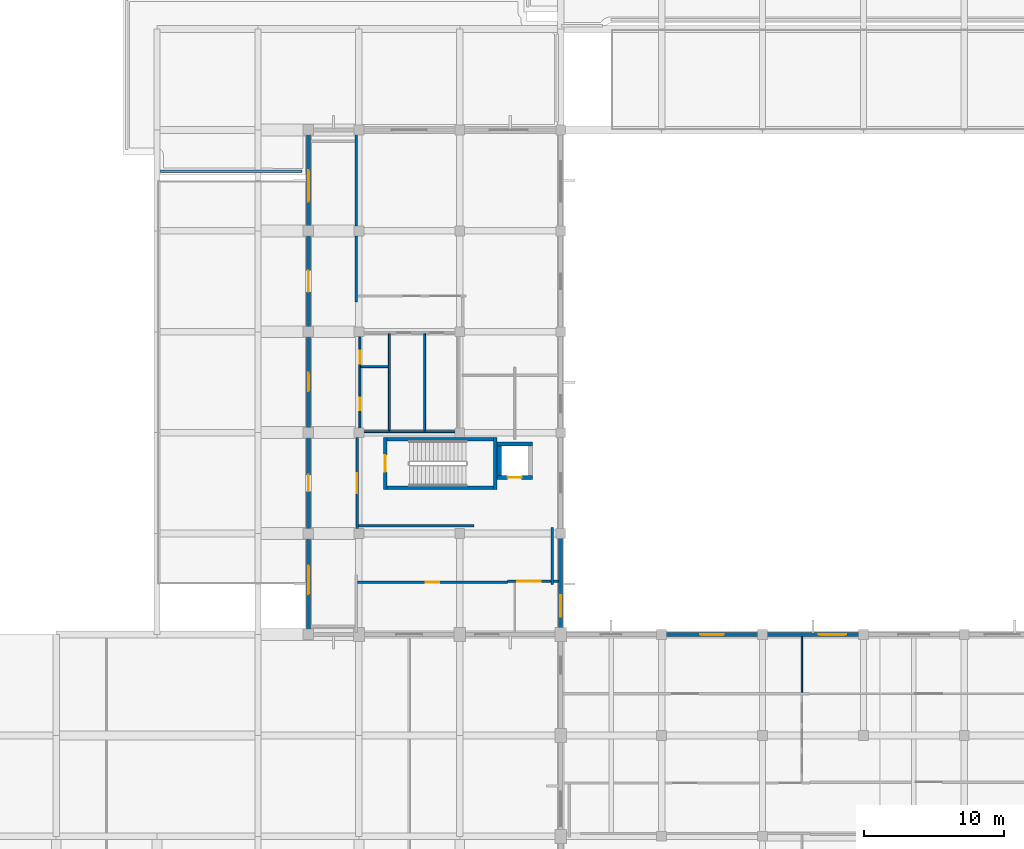
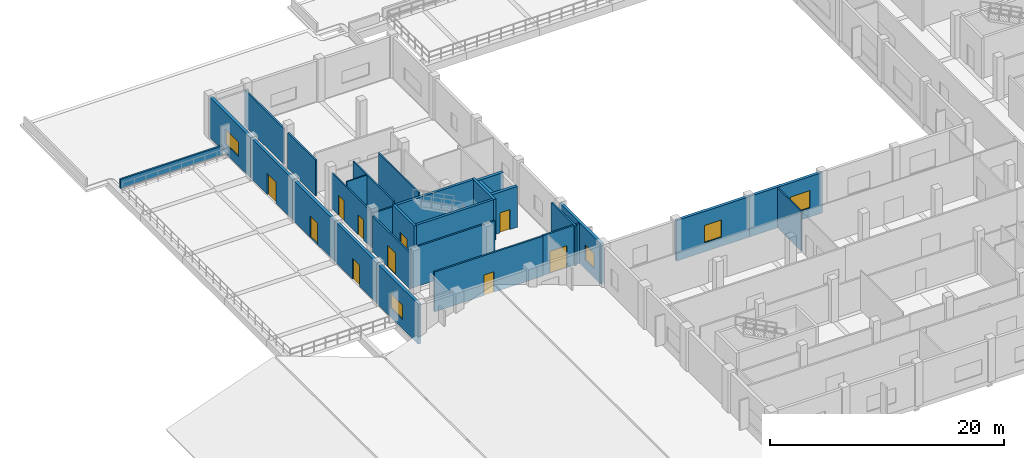
# One storey, part 10 of 24: 29 walls, 10 doors, 5 windows, 15 openings.
"""IFC4 building model written with IfcOpenShell, lengths in metres."""

from ifc_helpers import new_model, si_unit, direction, frame, frame_2d, origin, place, context, subcontext, project, spatial, rectangle, extrude, material, layer, layer_set, type_object, element, fill, save


model = new_model("IFC4")

# Units and contexts
model_context = context("Model", 3, precision=1e-05, world=origin(), true_north=direction((0.0, 1.0)))
body_context = subcontext(model_context, "Body", "Model", "MODEL_VIEW")
ifc_project = project(units=[si_unit("LENGTHUNIT", "METRE"), si_unit("AREAUNIT", "SQUARE_METRE"), si_unit("VOLUMEUNIT", "CUBIC_METRE"), si_unit("PLANEANGLEUNIT", "RADIAN"), si_unit("MASSUNIT", "GRAM", prefix="KILO")], contexts=[model_context])

# Site, building, storey
site_placement = place(None, origin())
site = spatial("IfcSite", under=ifc_project, at=site_placement, CompositionType="ELEMENT")
building_placement = place(site_placement, origin())
building = spatial("IfcBuilding", under=site, at=building_placement, Name="Seraya Terrace Polytechnic", CompositionType="ELEMENT")
storey_placement = place(building_placement, frame((0.0, 0.0, 18.89990234375)))
storey = spatial("IfcBuildingStorey", under=building, at=storey_placement, Name="L04", CompositionType="ELEMENT", Elevation=18.89990234375)

# Wall, opening, window
ifc_material_1 = material(Name="Precast concrete C40/50", Category="concrete")
ifc_layer_1 = layer(ifc_material_1, 0.280029296875, Name="EW-02")
ifc_layer_set_1 = layer_set([ifc_layer_1], Name="Precast concrete C40/50")
wall_type_1 = type_object("IfcWallType", Name="EW-02", PredefinedType="SOLIDWALL", material=ifc_layer_set_1)
wall_1_placement = place(storey_placement, frame((50.39990234375, 28.800048828125, 0.0), z_axis=(0.0, 0.0, 1.0), x_axis=(1.0, 0.0, 0.0)))
wall_1 = element("IfcWall", 1, at=wall_1_placement, inside=storey, type_object=wall_type_1, Name="Exterior structural wall EW-02 L04", PredefinedType="SOLIDWALL", context=body_context, shape_type="SweptSolid", body=[
    extrude(rectangle(XDim=7.2001953125, YDim=0.280029296875, at=frame_2d((3.60009765625, 0.0))), origin(), (0.0, 0.0, 1.0), 4.22021484375),
])
opening_1_placement = place(wall_1_placement, frame((2.75, 0.0, 0.949951171875)))
opening_1 = element("IfcOpeningElement", 2, at=opening_1_placement, cuts=wall_1, Name="Opening WN-29", PredefinedType="OPENING", context=body_context, shape_type="SweptSolid", body=[
    extrude(rectangle(XDim=1.699951171875, YDim=1.800048828125, at=frame_2d((0.85009765625, 0.89990234375))), frame((0.0, 0.15185546875, 0.0), z_axis=(0.0, -1.0, 0.0), x_axis=(1.0, 0.0, 0.0)), (0.0, 0.0, 1.0), 0.303955078125),
])
ifc_material_2 = material(Name="Laminated solar-control Low-E double glazing", Category="glass")
window_type_1 = type_object("IfcWindowType", Name="WN-29", PartitioningType="SINGLE_PANEL", PredefinedType="WINDOW", material=ifc_material_2)
window_1_placement = place(opening_1_placement, origin())
window_1 = element("IfcWindow", 3, at=window_1_placement, inside=storey, type_object=window_type_1, Name="Exterior window WN-29 L04", OverallHeight=1.800048828125, OverallWidth=1.699951171875, PartitioningType="SINGLE_PANEL", PredefinedType="WINDOW", context=body_context, shape_type="SweptSolid", body=[
    extrude(rectangle(XDim=1.699951171875, YDim=1.800048828125, at=frame_2d((0.85009765625, 0.89990234375))), frame((0.0, 0.030029296875, 0.0), z_axis=(0.0, -1.0, 0.0), x_axis=(1.0, 0.0, 0.0)), (0.0, 0.0, 1.0), 0.06005859375),
])
fill(opening_1, window_1)

wall_2_placement = place(storey_placement, frame((57.60009765625, 28.800048828125, 0.0), z_axis=(0.0, 0.0, 1.0), x_axis=(1.0, 0.0, 0.0)))
wall_2 = element("IfcWall", 4, at=wall_2_placement, inside=storey, type_object=wall_type_1, Name="Exterior structural wall EW-02 L04", PredefinedType="SOLIDWALL", context=body_context, shape_type="SweptSolid", body=[
    extrude(rectangle(XDim=7.199951171875, YDim=0.280029296875, at=frame_2d((3.60009765625, 0.0))), origin(), (0.0, 0.0, 1.0), 4.22021484375),
])
opening_2_placement = place(wall_2_placement, frame((4.02001953125, 0.0, 0.949951171875)))
opening_2 = element("IfcOpeningElement", 5, at=opening_2_placement, cuts=wall_2, Name="Opening WN-30", PredefinedType="OPENING", context=body_context, shape_type="SweptSolid", body=[
    extrude(rectangle(XDim=1.949951171875, YDim=1.800048828125, at=frame_2d((0.97509765625, 0.89990234375))), frame((0.0, 0.15185546875, 0.0), z_axis=(0.0, -1.0, 0.0), x_axis=(1.0, 0.0, 0.0)), (0.0, 0.0, 1.0), 0.303955078125),
])
window_type_2 = type_object("IfcWindowType", Name="WN-30", PartitioningType="SINGLE_PANEL", PredefinedType="WINDOW", material=ifc_material_2)
window_2_placement = place(opening_2_placement, origin())
window_2 = element("IfcWindow", 6, at=window_2_placement, inside=storey, type_object=window_type_2, Name="Exterior window WN-30 L04", OverallHeight=1.800048828125, OverallWidth=1.949951171875, PartitioningType="SINGLE_PANEL", PredefinedType="WINDOW", context=body_context, shape_type="SweptSolid", body=[
    extrude(rectangle(XDim=1.949951171875, YDim=1.800048828125, at=frame_2d((0.97509765625, 0.89990234375))), frame((0.0, 0.030029296875, 0.0), z_axis=(0.0, -1.0, 0.0), x_axis=(1.0, 0.0, 0.0)), (0.0, 0.0, 1.0), 0.06005859375),
])
fill(opening_2, window_2)

wall_3_placement = place(storey_placement, frame((43.199951171875, 36.0, 0.0), z_axis=(0.0, 0.0, 1.0), x_axis=(0.0, -1.0, 0.0)))
wall_3 = element("IfcWall", 7, at=wall_3_placement, inside=storey, type_object=wall_type_1, Name="Exterior structural wall EW-02 L04", PredefinedType="SOLIDWALL", context=body_context, shape_type="SweptSolid", body=[
    extrude(rectangle(XDim=7.033935546875, YDim=0.280029296875, at=frame_2d((3.51708984375, 0.0))), origin(), (0.0, 0.0, 1.0), 4.22021484375),
])
opening_3_placement = place(wall_3_placement, frame((4.402099609375, 0.0, 0.949951171875)))
opening_3 = element("IfcOpeningElement", 8, at=opening_3_placement, cuts=wall_3, Name="Opening WN-16", PredefinedType="OPENING", context=body_context, shape_type="SweptSolid", body=[
    extrude(rectangle(XDim=1.550048828125, YDim=1.550048828125, at=frame_2d((0.77490234375, 0.77490234375))), frame((0.0, 0.15185546875, 0.0), z_axis=(0.0, -1.0, 0.0), x_axis=(1.0, 0.0, 0.0)), (0.0, 0.0, 1.0), 0.303955078125),
])
window_type_3 = type_object("IfcWindowType", Name="WN-16", PartitioningType="SINGLE_PANEL", PredefinedType="WINDOW", material=ifc_material_2)
window_3_placement = place(opening_3_placement, origin())
window_3 = element("IfcWindow", 9, at=window_3_placement, inside=storey, type_object=window_type_3, Name="Exterior window WN-16 L04", OverallHeight=1.550048828125, OverallWidth=1.550048828125, PartitioningType="SINGLE_PANEL", PredefinedType="WINDOW", context=body_context, shape_type="SweptSolid", body=[
    extrude(rectangle(XDim=1.550048828125, YDim=1.550048828125, at=frame_2d((0.77490234375, 0.77490234375))), frame((0.0, 0.030029296875, 0.0), z_axis=(0.0, -1.0, 0.0), x_axis=(1.0, 0.0, 0.0)), (0.0, 0.0, 1.0), 0.06005859375),
])
fill(opening_3, window_3)

wall_4_placement = place(storey_placement, frame((25.199951171875, 28.966064453125, 0.0), z_axis=(0.0, 0.0, 1.0), x_axis=(0.0, 1.0, 0.0)))
wall_4 = element("IfcWall", 10, at=wall_4_placement, inside=storey, type_object=wall_type_1, Name="Exterior structural wall EW-02 L04", PredefinedType="SOLIDWALL", context=body_context, shape_type="SweptSolid", body=[
    extrude(rectangle(XDim=7.033935546875, YDim=0.280029296875, at=frame_2d((3.51708984375, 0.0))), origin(), (0.0, 0.0, 1.0), 4.22021484375),
])
opening_4_placement = place(wall_4_placement, frame((2.698974609375, 0.0, 0.949951171875)))
opening_4 = element("IfcOpeningElement", 11, at=opening_4_placement, cuts=wall_4, Name="Opening WN-19", PredefinedType="OPENING", context=body_context, shape_type="SweptSolid", body=[
    extrude(rectangle(XDim=2.050048828125, YDim=1.550048828125, at=frame_2d((1.02490234375, 0.77490234375))), frame((0.0, 0.15185546875, 0.0), z_axis=(0.0, -1.0, 0.0), x_axis=(1.0, 0.0, 0.0)), (0.0, 0.0, 1.0), 0.303955078125),
])
window_type_4 = type_object("IfcWindowType", Name="WN-19", PartitioningType="SINGLE_PANEL", PredefinedType="WINDOW", material=ifc_material_2)
window_4_placement = place(opening_4_placement, origin())
window_4 = element("IfcWindow", 12, at=window_4_placement, inside=storey, type_object=window_type_4, Name="Exterior window WN-19 L04", OverallHeight=1.550048828125, OverallWidth=2.050048828125, PartitioningType="SINGLE_PANEL", PredefinedType="WINDOW", context=body_context, shape_type="SweptSolid", body=[
    extrude(rectangle(XDim=2.050048828125, YDim=1.550048828125, at=frame_2d((1.02490234375, 0.77490234375))), frame((0.0, 0.030029296875, 0.0), z_axis=(0.0, -1.0, 0.0), x_axis=(1.0, 0.0, 0.0)), (0.0, 0.0, 1.0), 0.06005859375),
])
fill(opening_4, window_4)

# Wall, opening, door
wall_5_placement = place(storey_placement, frame((25.199951171875, 36.0, 0.0), z_axis=(0.0, 0.0, 1.0), x_axis=(0.0, 1.0, 0.0)))
wall_5 = element("IfcWall", 13, at=wall_5_placement, inside=storey, type_object=wall_type_1, Name="Exterior structural wall EW-02 L04", PredefinedType="SOLIDWALL", context=body_context, shape_type="SweptSolid", body=[
    extrude(rectangle(XDim=7.199951171875, YDim=0.280029296875, at=frame_2d((3.60009765625, 0.0))), origin(), (0.0, 0.0, 1.0), 4.22021484375),
])
opening_5_placement = place(wall_5_placement, frame((3.010009765625, 0.0, 0.0)))
opening_5 = element("IfcOpeningElement", 14, at=opening_5_placement, cuts=wall_5, Name="Opening TD-02", PredefinedType="OPENING", context=body_context, shape_type="SweptSolid", body=[
    extrude(rectangle(XDim=1.179931640625, YDim=2.179931640625, at=frame_2d((0.58984375, 1.08984375))), frame((0.0, 0.15185546875, 0.0), z_axis=(0.0, -1.0, 0.0), x_axis=(1.0, 0.0, 0.0)), (0.0, 0.0, 1.0), 0.303955078125),
])
ifc_material_3 = material(Name="Anodised aluminium EN AW-6063 T6", Category="aluminium")
door_type_1 = type_object("IfcDoorType", Name="TD-02", OperationType="NOTDEFINED", PredefinedType="DOOR", material=ifc_material_3)
door_1_placement = place(opening_5_placement, origin())
door_1 = element("IfcDoor", 15, at=door_1_placement, inside=storey, type_object=door_type_1, Name="Door TD-02 DR-TERR-L04-11-01 in WL-EXT-L04-11-01", OperationType="SINGLE_SWING_RIGHT", OverallHeight=2.179931640625, OverallWidth=1.179931640625, PredefinedType="DOOR", context=body_context, shape_type="SweptSolid", body=[
    extrude(rectangle(XDim=1.179931640625, YDim=2.179931640625, at=frame_2d((0.58984375, 1.08984375))), frame((0.0, 0.02490234375, 0.0), z_axis=(0.0, -1.0, 0.0), x_axis=(1.0, 0.0, 0.0)), (0.0, 0.0, 1.0), 0.050048828125),
])
fill(opening_5, door_1)

wall_6_placement = place(storey_placement, frame((25.199951171875, 43.199951171875, 0.0), z_axis=(0.0, 0.0, 1.0), x_axis=(0.0, 1.0, 0.0)))
wall_6 = element("IfcWall", 16, at=wall_6_placement, inside=storey, type_object=wall_type_1, Name="Exterior structural wall EW-02 L04", PredefinedType="SOLIDWALL", context=body_context, shape_type="SweptSolid", body=[
    extrude(rectangle(XDim=7.199951171875, YDim=0.280029296875, at=frame_2d((3.60009765625, 0.0))), origin(), (0.0, 0.0, 1.0), 4.22021484375),
])
opening_6_placement = place(wall_6_placement, frame((2.93994140625, 0.0, 0.0)))
opening_6 = element("IfcOpeningElement", 17, at=opening_6_placement, cuts=wall_6, Name="Opening TD-03", PredefinedType="OPENING", context=body_context, shape_type="SweptSolid", body=[
    extrude(rectangle(XDim=1.320068359375, YDim=2.199951171875, at=frame_2d((0.66015625, 1.10009765625))), frame((0.0, 0.15185546875, 0.0), z_axis=(0.0, -1.0, 0.0), x_axis=(1.0, 0.0, 0.0)), (0.0, 0.0, 1.0), 0.303955078125),
])
door_type_2 = type_object("IfcDoorType", Name="TD-03", OperationType="NOTDEFINED", PredefinedType="DOOR", material=ifc_material_3)
door_2_placement = place(opening_6_placement, origin())
door_2 = element("IfcDoor", 18, at=door_2_placement, inside=storey, type_object=door_type_2, Name="Door TD-03 DR-TERR-L04-11-02 in WL-EXT-L04-11-02", OperationType="SINGLE_SWING_LEFT", OverallHeight=2.199951171875, OverallWidth=1.320068359375, PredefinedType="DOOR", context=body_context, shape_type="SweptSolid", body=[
    extrude(rectangle(XDim=1.320068359375, YDim=2.199951171875, at=frame_2d((0.66015625, 1.10009765625))), frame((0.0, 0.02490234375, 0.0), z_axis=(0.0, -1.0, 0.0), x_axis=(1.0, 0.0, 0.0)), (0.0, 0.0, 1.0), 0.050048828125),
])
fill(opening_6, door_2)

wall_7_placement = place(storey_placement, frame((25.199951171875, 50.39990234375, 0.0), z_axis=(0.0, 0.0, 1.0), x_axis=(0.0, 1.0, 0.0)))
wall_7 = element("IfcWall", 19, at=wall_7_placement, inside=storey, type_object=wall_type_1, Name="Exterior structural wall EW-02 L04", PredefinedType="SOLIDWALL", context=body_context, shape_type="SweptSolid", body=[
    extrude(rectangle(XDim=7.2001953125, YDim=0.280029296875, at=frame_2d((3.60009765625, 0.0))), origin(), (0.0, 0.0, 1.0), 4.22021484375),
])
opening_7_placement = place(wall_7_placement, frame((2.840087890625, 0.0, 0.0)))
opening_7 = element("IfcOpeningElement", 20, at=opening_7_placement, cuts=wall_7, Name="Opening TD-04", PredefinedType="OPENING", context=body_context, shape_type="SweptSolid", body=[
    extrude(rectangle(XDim=1.52001953125, YDim=2.219970703125, at=frame_2d((0.760009765625, 1.10986328125))), frame((0.0, 0.15185546875, 0.0), z_axis=(0.0, -1.0, 0.0), x_axis=(1.0, 0.0, 0.0)), (0.0, 0.0, 1.0), 0.303955078125),
])
door_type_3 = type_object("IfcDoorType", Name="TD-04", OperationType="DOUBLE_DOOR_SINGLE_SWING", PredefinedType="DOOR", material=ifc_material_3)
door_3_placement = place(opening_7_placement, origin())
door_3 = element("IfcDoor", 21, at=door_3_placement, inside=storey, type_object=door_type_3, Name="Door TD-04 DR-TERR-L04-11-03 in WL-EXT-L04-11-03", OperationType="DOUBLE_DOOR_SINGLE_SWING", OverallHeight=2.219970703125, OverallWidth=1.52001953125, PredefinedType="DOOR", context=body_context, shape_type="SweptSolid", body=[
    extrude(rectangle(XDim=1.52001953125, YDim=2.219970703125, at=frame_2d((0.760009765625, 1.10986328125))), frame((0.0, 0.02490234375, 0.0), z_axis=(0.0, -1.0, 0.0), x_axis=(1.0, 0.0, 0.0)), (0.0, 0.0, 1.0), 0.050048828125),
])
fill(opening_7, door_3)

# Wall, opening, window
wall_8_placement = place(storey_placement, frame((25.199951171875, 57.60009765625, 0.0), z_axis=(0.0, 0.0, 1.0), x_axis=(0.0, 1.0, 0.0)))
wall_8 = element("IfcWall", 22, at=wall_8_placement, inside=storey, type_object=wall_type_1, Name="Exterior structural wall EW-02 L04", PredefinedType="SOLIDWALL", context=body_context, shape_type="SweptSolid", body=[
    extrude(rectangle(XDim=7.0478515625, YDim=0.280029296875, at=frame_2d((3.52392578125, 0.0))), origin(), (0.0, 0.0, 1.0), 4.22021484375),
])
opening_8_placement = place(wall_8_placement, frame((2.0849609375, 0.0, 0.949951171875)))
opening_8 = element("IfcOpeningElement", 23, at=opening_8_placement, cuts=wall_8, Name="Opening WN-20", PredefinedType="OPENING", context=body_context, shape_type="SweptSolid", body=[
    extrude(rectangle(XDim=2.25, YDim=1.550048828125, at=frame_2d((1.125, 0.77490234375))), frame((0.0, 0.15185546875, 0.0), z_axis=(0.0, -1.0, 0.0), x_axis=(1.0, 0.0, 0.0)), (0.0, 0.0, 1.0), 0.303955078125),
])
window_type_5 = type_object("IfcWindowType", Name="WN-20", PartitioningType="SINGLE_PANEL", PredefinedType="WINDOW", material=ifc_material_2)
window_5_placement = place(opening_8_placement, origin())
window_5 = element("IfcWindow", 24, at=window_5_placement, inside=storey, type_object=window_type_5, Name="Exterior window WN-20 L04", OverallHeight=1.550048828125, OverallWidth=2.25, PartitioningType="SINGLE_PANEL", PredefinedType="WINDOW", context=body_context, shape_type="SweptSolid", body=[
    extrude(rectangle(XDim=2.25, YDim=1.550048828125, at=frame_2d((1.125, 0.77490234375))), frame((0.0, 0.030029296875, 0.0), z_axis=(0.0, -1.0, 0.0), x_axis=(1.0, 0.0, 0.0)), (0.0, 0.0, 1.0), 0.06005859375),
])
fill(opening_8, window_5)

# Wall, opening, door
ifc_material_4 = material(Name="Autoclaved aerated concrete blockwork", Category="masonry")
ifc_layer_2 = layer(ifc_material_4, 0.169921875, Name="PT-02")
ifc_layer_set_2 = layer_set([ifc_layer_2], Name="Autoclaved aerated concrete blockwork")
wall_type_2 = type_object("IfcWallType", Name="PT-02", PredefinedType="PARTITIONING", material=ifc_layer_set_2)
wall_9_placement = place(storey_placement, frame((28.669921875, 36.360107421875, 0.0), z_axis=(0.0, 0.0, 1.0), x_axis=(0.0, 1.0, 0.0)))
wall_9 = element("IfcWall", 25, at=wall_9_placement, inside=storey, type_object=wall_type_2, Name="Internal partition PT-02 L04", PredefinedType="PARTITIONING", context=body_context, shape_type="SweptSolid", body=[
    extrude(rectangle(XDim=6.47998046875, YDim=0.169921875, at=frame_2d((3.239990234375, 0.0))), origin(), (0.0, 0.0, 1.0), 3.72998046875),
])
opening_9_placement = place(wall_9_placement, frame((2.530029296875, 0.0, 0.0)))
opening_9 = element("IfcOpeningElement", 26, at=opening_9_placement, cuts=wall_9, Name="Opening ID-10", PredefinedType="OPENING", context=body_context, shape_type="SweptSolid", body=[
    extrude(rectangle(XDim=1.419921875, YDim=2.239990234375, at=frame_2d((0.7099609375, 1.1201171875))), frame((0.0, 0.096923828125, 0.0), z_axis=(0.0, -1.0, 0.0), x_axis=(1.0, 0.0, 0.0)), (0.0, 0.0, 1.0), 0.19384765625),
])
ifc_material_5 = material(Name="Malaysian dark red meranti hardwood timber D40", Category="wood")
door_type_4 = type_object("IfcDoorType", Name="ID-10", OperationType="DOUBLE_DOOR_SINGLE_SWING", PredefinedType="DOOR", material=ifc_material_5)
door_4_placement = place(opening_9_placement, frame((1.419921875, 0.0, 0.0), z_axis=(0.0, 0.0, 1.0), x_axis=(-1.0, 0.0, 0.0)))
door_4 = element("IfcDoor", 27, at=door_4_placement, inside=storey, type_object=door_type_4, Name="Door ID-10 DR-INT-L04-0231 in WL-INT-L04-0670", OperationType="DOUBLE_DOOR_SINGLE_SWING", OverallHeight=2.239990234375, OverallWidth=1.419921875, PredefinedType="DOOR", context=body_context, shape_type="SweptSolid", body=[
    extrude(rectangle(XDim=1.419921875, YDim=2.239990234375, at=frame_2d((0.7099609375, 1.1201171875))), frame((0.0, 0.02490234375, 0.0), z_axis=(0.0, -1.0, 0.0), x_axis=(1.0, 0.0, 0.0)), (0.0, 0.0, 1.0), 0.050048828125),
])
fill(opening_9, door_4)

# Walls
wall_10_placement = place(storey_placement, frame((28.60009765625, 57.9599609375, 0.0), z_axis=(0.0, 0.0, 1.0), x_axis=(0.0, 1.0, 0.0)))
element("IfcWall", 28, at=wall_10_placement, inside=storey, type_object=wall_type_2, Name="Internal partition PT-02 L04", PredefinedType="PARTITIONING", context=body_context, shape_type="SweptSolid", body=[
    extrude(rectangle(XDim=6.68798828125, YDim=0.169921875, at=frame_2d((3.343994140625, 0.0))), origin(), (0.0, 0.0, 1.0), 3.72998046875),
])
wall_11_placement = place(storey_placement, frame((28.60009765625, 52.5185546875, 0.0), z_axis=(0.0, 0.0, 1.0), x_axis=(0.0, 1.0, 0.0)))
element("IfcWall", 29, at=wall_11_placement, inside=storey, type_object=wall_type_2, Name="Internal partition PT-02 L04", PredefinedType="PARTITIONING", context=body_context, shape_type="SweptSolid", body=[
    extrude(rectangle(XDim=4.721435546875, YDim=0.169921875, at=frame_2d((2.36083984375, 0.0))), origin(), (0.0, 0.0, 1.0), 3.72998046875),
])
wall_12_placement = place(storey_placement, frame((42.60009765625, 32.360107421875, 0.0), z_axis=(0.0, 0.0, 1.0), x_axis=(0.0, 1.0, 0.0)))
element("IfcWall", 30, at=wall_12_placement, inside=storey, type_object=wall_type_2, Name="Internal partition PT-02 L04", PredefinedType="PARTITIONING", context=body_context, shape_type="SweptSolid", body=[
    extrude(rectangle(XDim=4.08203125, YDim=0.169921875, at=frame_2d((2.041015625, 0.0))), origin(), (0.0, 0.0, 1.0), 4.16015625),
])

# Wall, opening, door
wall_13_placement = place(storey_placement, frame((39.408447265625, 32.60009765625, 0.0), z_axis=(0.0, 0.0, 1.0), x_axis=(1.0, 0.0, 0.0)))
wall_13 = element("IfcWall", 31, at=wall_13_placement, inside=storey, type_object=wall_type_2, Name="Internal partition PT-02 L04", PredefinedType="PARTITIONING", context=body_context, shape_type="SweptSolid", body=[
    extrude(rectangle(XDim=3.6396484375, YDim=0.169921875, at=frame_2d((1.81982421875, 0.0))), origin(), (0.0, 0.0, 1.0), 4.16015625),
])
opening_10_placement = place(wall_13_placement, frame((0.705810546875, 0.0, 0.0)))
opening_10 = element("IfcOpeningElement", 32, at=opening_10_placement, cuts=wall_13, Name="Opening ID-13", PredefinedType="OPENING", context=body_context, shape_type="SweptSolid", body=[
    extrude(rectangle(XDim=1.679931640625, YDim=2.280029296875, at=frame_2d((0.83984375, 1.14013671875))), frame((0.0, 0.096923828125, 0.0), z_axis=(0.0, -1.0, 0.0), x_axis=(1.0, 0.0, 0.0)), (0.0, 0.0, 1.0), 0.19384765625),
])
door_type_5 = type_object("IfcDoorType", Name="ID-13", OperationType="DOUBLE_DOOR_SINGLE_SWING", PredefinedType="DOOR", material=ifc_material_5)
door_5_placement = place(opening_10_placement, origin())
door_5 = element("IfcDoor", 33, at=door_5_placement, inside=storey, type_object=door_type_5, Name="Door ID-13 DR-INT-L04-0234 in WL-INT-L04-0677", OperationType="DOUBLE_DOOR_SINGLE_SWING", OverallHeight=2.280029296875, OverallWidth=1.679931640625, PredefinedType="DOOR", context=body_context, shape_type="SweptSolid", body=[
    extrude(rectangle(XDim=1.679931640625, YDim=2.280029296875, at=frame_2d((0.83984375, 1.14013671875))), frame((0.0, 0.02490234375, 0.0), z_axis=(0.0, -1.0, 0.0), x_axis=(1.0, 0.0, 0.0)), (0.0, 0.0, 1.0), 0.050048828125),
])
fill(opening_10, door_5)

# Wall
wall_14_placement = place(storey_placement, frame((28.77001953125, 36.570068359375, 0.0), z_axis=(0.0, 0.0, 1.0), x_axis=(1.0, 0.0, 0.0)))
element("IfcWall", 34, at=wall_14_placement, inside=storey, type_object=wall_type_2, Name="Internal partition PT-02 L04", PredefinedType="PARTITIONING", context=body_context, shape_type="SweptSolid", body=[
    extrude(rectangle(XDim=8.241943359375, YDim=0.169921875, at=frame_2d((4.12109375, 0.0))), origin(), (0.0, 0.0, 1.0), 4.16015625),
])

# Wall, opening, door
wall_15_placement = place(storey_placement, frame((28.699951171875, 32.530029296875, 0.0), z_axis=(0.0, 0.0, 1.0), x_axis=(1.0, 0.0, 0.0)))
wall_15 = element("IfcWall", 35, at=wall_15_placement, inside=storey, type_object=wall_type_2, Name="Internal partition PT-02 L04", PredefinedType="PARTITIONING", context=body_context, shape_type="SweptSolid", body=[
    extrude(rectangle(XDim=10.70849609375, YDim=0.169921875, at=frame_2d((5.354248046875, 0.0))), origin(), (0.0, 0.0, 1.0), 4.16015625),
])
opening_11_placement = place(wall_15_placement, frame((4.8642578125, 0.0, 0.0)))
opening_11 = element("IfcOpeningElement", 36, at=opening_11_placement, cuts=wall_15, Name="Opening ID-03", PredefinedType="OPENING", context=body_context, shape_type="SweptSolid", body=[
    extrude(rectangle(XDim=0.97998046875, YDim=2.139892578125, at=frame_2d((0.489990234375, 1.06982421875))), frame((0.0, 0.096923828125, 0.0), z_axis=(0.0, -1.0, 0.0), x_axis=(1.0, 0.0, 0.0)), (0.0, 0.0, 1.0), 0.19384765625),
])
door_type_6 = type_object("IfcDoorType", Name="ID-03", OperationType="NOTDEFINED", PredefinedType="DOOR", material=ifc_material_5)
door_6_placement = place(opening_11_placement, origin())
door_6 = element("IfcDoor", 37, at=door_6_placement, inside=storey, type_object=door_type_6, Name="Door ID-03 DR-INT-L04-0224 in WL-INT-L04-0679", OperationType="SINGLE_SWING_LEFT", OverallHeight=2.139892578125, OverallWidth=0.97998046875, PredefinedType="DOOR", context=body_context, shape_type="SweptSolid", body=[
    extrude(rectangle(XDim=0.97998046875, YDim=2.139892578125, at=frame_2d((0.489990234375, 1.06982421875))), frame((0.0, 0.02490234375, 0.0), z_axis=(0.0, -1.0, 0.0), x_axis=(1.0, 0.0, 0.0)), (0.0, 0.0, 1.0), 0.050048828125),
])
fill(opening_11, door_6)

# Wall
ifc_layer_3 = layer(ifc_material_4, 0.139892578125, Name="PT-04")
ifc_layer_set_3 = layer_set([ifc_layer_3], Name="Autoclaved aerated concrete blockwork")
wall_type_3 = type_object("IfcWallType", Name="PT-04", PredefinedType="PARTITIONING", material=ifc_layer_set_3)
wall_16_placement = place(storey_placement, frame((28.8701171875, 43.27001953125, 0.0), z_axis=(0.0, 0.0, 1.0), x_axis=(1.0, 0.0, 0.0)))
element("IfcWall", 38, at=wall_16_placement, inside=storey, type_object=wall_type_3, Name="Sanitary WC-B South wall L04", PredefinedType="PARTITIONING", context=body_context, shape_type="SweptSolid", body=[
    extrude(rectangle(XDim=7.059814453125, YDim=0.139892578125, at=frame_2d((3.52978515625, 0.0))), origin(), (0.0, 0.0, 1.0), 3.72998046875),
])

# Wall, openings, doors
wall_17_placement = place(storey_placement, frame((28.8701171875, 43.35009765625, 0.0), z_axis=(0.0, 0.0, 1.0), x_axis=(0.0, 1.0, 0.0)))
wall_17 = element("IfcWall", 39, at=wall_17_placement, inside=storey, type_object=wall_type_3, Name="Sanitary WC-B West wall L04", PredefinedType="PARTITIONING", context=body_context, shape_type="SweptSolid", body=[
    extrude(rectangle(XDim=6.89990234375, YDim=0.139892578125, at=frame_2d((3.449951171875, 0.0))), origin(), (0.0, 0.0, 1.0), 3.72998046875),
])
opening_12_placement = place(wall_17_placement, frame((1.449951171875, 0.0, 0.0)))
opening_12 = element("IfcOpeningElement", 40, at=opening_12_placement, cuts=wall_17, Name="Opening ID-02", PredefinedType="OPENING", context=body_context, shape_type="SweptSolid", body=[
    extrude(rectangle(XDim=0.89990234375, YDim=2.080078125, at=frame_2d((0.449951171875, 1.0400390625))), frame((0.0, 0.08203125, 0.0), z_axis=(0.0, -1.0, 0.0), x_axis=(1.0, 0.0, 0.0)), (0.0, 0.0, 1.0), 0.163818359375),
])
opening_13_placement = place(wall_17_placement, frame((4.75, 0.0, 0.0)))
opening_13 = element("IfcOpeningElement", 41, at=opening_13_placement, cuts=wall_17, Name="Opening ID-01", PredefinedType="OPENING", context=body_context, shape_type="SweptSolid", body=[
    extrude(rectangle(XDim=0.93994140625, YDim=2.10009765625, at=frame_2d((0.469970703125, 1.050048828125))), frame((0.0, 0.08203125, 0.0), z_axis=(0.0, -1.0, 0.0), x_axis=(1.0, 0.0, 0.0)), (0.0, 0.0, 1.0), 0.163818359375),
])
door_type_7 = type_object("IfcDoorType", Name="ID-01", OperationType="NOTDEFINED", PredefinedType="DOOR", material=ifc_material_5)
door_7_placement = place(opening_13_placement, origin())
door_7 = element("IfcDoor", 42, at=door_7_placement, inside=storey, type_object=door_type_7, Name="Door ID-01 DR-WC-WC-B-L04-OKU in WL-WC-WC-B-L04-W", OperationType="SINGLE_SWING_LEFT", OverallHeight=2.10009765625, OverallWidth=0.93994140625, PredefinedType="DOOR", context=body_context, shape_type="SweptSolid", body=[
    extrude(rectangle(XDim=0.93994140625, YDim=2.10009765625, at=frame_2d((0.469970703125, 1.050048828125))), frame((0.0, 0.02490234375, 0.0), z_axis=(0.0, -1.0, 0.0), x_axis=(1.0, 0.0, 0.0)), (0.0, 0.0, 1.0), 0.050048828125),
])
fill(opening_13, door_7)
door_type_8 = type_object("IfcDoorType", Name="ID-02", OperationType="NOTDEFINED", PredefinedType="DOOR", material=ifc_material_5)
door_8_placement = place(opening_12_placement, frame((0.89990234375, 0.0, 0.0), z_axis=(0.0, 0.0, 1.0), x_axis=(-1.0, 0.0, 0.0)))
door_8 = element("IfcDoor", 43, at=door_8_placement, inside=storey, type_object=door_type_8, Name="Door ID-02 DR-WC-WC-B-L04-CLN in WL-WC-WC-B-L04-W", OperationType="SINGLE_SWING_RIGHT", OverallHeight=2.080078125, OverallWidth=0.89990234375, PredefinedType="DOOR", context=body_context, shape_type="SweptSolid", body=[
    extrude(rectangle(XDim=0.89990234375, YDim=2.080078125, at=frame_2d((0.449951171875, 1.0400390625))), frame((0.0, 0.02490234375, 0.0), z_axis=(0.0, -1.0, 0.0), x_axis=(1.0, 0.0, 0.0)), (0.0, 0.0, 1.0), 0.050048828125),
])
fill(opening_12, door_8)

# Walls
for number, where, z_axis, x_axis, name in (
    (44, (30.97998046875, 43.35009765625, 0.0), (0.0, 0.0, 1.0), (0.0, 1.0, 0.0), "Sanitary WC-B OKU/Male divider L04"),
    (45, (33.489990234375, 43.35009765625, 0.0), (0.0, 0.0, 1.0), (0.0, 1.0, 0.0), "Sanitary WC-B Male/Female divider L04"),
):
    element("IfcWall", number, at=place(storey_placement, frame(where, z_axis=z_axis, x_axis=x_axis)), inside=storey, type_object=wall_type_3, Name=name, PredefinedType="PARTITIONING", context=body_context, shape_type="SweptSolid", body=[
        extrude(rectangle(XDim=6.89990234375, YDim=0.139892578125, at=frame_2d((3.449951171875, 0.0))), origin(), (0.0, 0.0, 1.0), 4.16015625),
    ])
wall_18_placement = place(storey_placement, frame((28.949951171875, 47.919921875, 0.0), z_axis=(0.0, 0.0, 1.0), x_axis=(1.0, 0.0, 0.0)))
element("IfcWall", 46, at=wall_18_placement, inside=storey, type_object=wall_type_3, Name="Sanitary WC-B OKU/Cleaner divider L04", PredefinedType="PARTITIONING", context=body_context, shape_type="SweptSolid", body=[
    extrude(rectangle(XDim=1.949951171875, YDim=0.139892578125, at=frame_2d((0.97509765625, 0.0))), origin(), (0.0, 0.0, 1.0), 4.16015625),
])
ifc_layer_4 = layer(ifc_material_4, 0.1201171875, Name="PT-05")
ifc_layer_set_4 = layer_set([ifc_layer_4], Name="Autoclaved aerated concrete blockwork")
wall_type_4 = type_object("IfcWallType", Name="PT-05", PredefinedType="PARTITIONING", material=ifc_layer_set_4)
wall_19_placement = place(storey_placement, frame((60.409912109375, 24.663330078125, 0.0), z_axis=(0.0, 0.0, 1.0), x_axis=(0.0, 1.0, 0.0)))
element("IfcWall", 47, at=wall_19_placement, inside=storey, type_object=wall_type_4, Name="Internal partition PT-05 L04", PredefinedType="PARTITIONING", context=body_context, shape_type="SweptSolid", body=[
    extrude(rectangle(XDim=3.984619140625, YDim=0.1201171875, at=frame_2d((1.9921875, 0.0))), origin(), (0.0, 0.0, 1.0), 4.16015625),
])
ifc_layer_5 = layer(ifc_material_1, 0.179931640625, Name="PW-P2")
ifc_layer_set_5 = layer_set([ifc_layer_5], Name="Precast concrete C40/50")
wall_type_5 = type_object("IfcWallType", Name="PW-P2", PredefinedType="PARAPET", material=ifc_layer_set_5)
wall_20_placement = place(storey_placement, frame((24.75, 61.8662109375, 0.0), z_axis=(0.0, 0.0, 1.0), x_axis=(-0.999999934267, 0.000362581557, 0.0)))
element("IfcWall", 48, at=wall_20_placement, inside=storey, type_object=wall_type_5, Name="Roof parapet ROOF-L04-WEST 17.1", PredefinedType="PARAPET", context=body_context, shape_type="SweptSolid", body=[
    extrude(rectangle(XDim=10.10009765625, YDim=0.179931640625, at=frame_2d((5.050048828125, 0.0))), origin(), (0.0, 0.0, 1.0), 0.9501953125),
])

# Wall, opening, door
ifc_material_6 = material(Name="Concrete C40/50", Category="concrete")
ifc_layer_6 = layer(ifc_material_6, 0.300048828125, Name="SW-01")
ifc_layer_set_6 = layer_set([ifc_layer_6], Name="Concrete C40/50")
wall_type_6 = type_object("IfcWallType", Name="SW-01", PredefinedType="SHEAR", material=ifc_layer_set_6)
wall_21_placement = place(storey_placement, frame((38.669921875, 40.0, 0.0), z_axis=(0.0, 0.0, 1.0), x_axis=(1.0, 0.0, 0.0)))
wall_21 = element("IfcWall", 49, at=wall_21_placement, inside=storey, type_object=wall_type_6, Name="Lift shaft PL-05 South wall L04", PredefinedType="SHEAR", context=body_context, shape_type="SweptSolid", body=[
    extrude(rectangle(XDim=2.5, YDim=0.300048828125, at=frame_2d((1.25, 0.0))), origin(), (0.0, 0.0, 1.0), 4.25),
])
opening_14_placement = place(wall_21_placement, frame((0.75, 0.0, 0.0)))
opening_14 = element("IfcOpeningElement", 50, at=opening_14_placement, cuts=wall_21, Name="Opening LD-01", PredefinedType="OPENING", context=body_context, shape_type="SweptSolid", body=[
    extrude(rectangle(XDim=1.0, YDim=2.10009765625, at=frame_2d((0.5, 1.050048828125))), frame((0.0, 0.162109375, 0.0), z_axis=(0.0, -1.0, 0.0), x_axis=(1.0, 0.0, 0.0)), (0.0, 0.0, 1.0), 0.323974609375),
])
ifc_material_7 = material(Name="Steel S355J2", Category="steel")
door_type_9 = type_object("IfcDoorType", Name="LD-01", OperationType="SLIDING_TO_LEFT", PredefinedType="DOOR", material=ifc_material_7)
door_9_placement = place(opening_14_placement, frame((1.0, 0.0, 0.0), z_axis=(0.0, 0.0, 1.0), x_axis=(-1.0, 0.0, 0.0)))
door_9 = element("IfcDoor", 51, at=door_9_placement, inside=storey, type_object=door_type_9, Name="Door LD-01 LD-PL-05-L04 in WL-SHF-PL-05-L04-S", OperationType="SLIDING_TO_LEFT", OverallHeight=2.10009765625, OverallWidth=1.0, PredefinedType="DOOR", context=body_context, shape_type="SweptSolid", body=[
    extrude(rectangle(XDim=1.0, YDim=2.10009765625, at=frame_2d((0.5, 1.050048828125))), frame((0.0, 0.02490234375, 0.0), z_axis=(0.0, -1.0, 0.0), x_axis=(1.0, 0.0, 0.0)), (0.0, 0.0, 1.0), 0.050048828125),
])
fill(opening_14, door_9)

# Walls
wall_22_placement = place(storey_placement, frame((38.669921875, 42.39990234375, 0.0), z_axis=(0.0, 0.0, 1.0), x_axis=(1.0, 0.0, 0.0)))
element("IfcWall", 52, at=wall_22_placement, inside=storey, type_object=wall_type_6, Name="Lift shaft PL-05 North wall L04", PredefinedType="SHEAR", context=body_context, shape_type="SweptSolid", body=[
    extrude(rectangle(XDim=2.5, YDim=0.300048828125, at=frame_2d((1.25, 0.0))), origin(), (0.0, 0.0, 1.0), 4.25),
])
wall_23_placement = place(storey_placement, frame((38.820068359375, 40.14990234375, 0.0), z_axis=(0.0, 0.0, 1.0), x_axis=(0.0, 1.0, 0.0)))
element("IfcWall", 53, at=wall_23_placement, inside=storey, type_object=wall_type_6, Name="Lift shaft PL-05 West wall L04", PredefinedType="SHEAR", context=body_context, shape_type="SweptSolid", body=[
    extrude(rectangle(XDim=2.10009765625, YDim=0.300048828125, at=frame_2d((1.050048828125, 0.0))), origin(), (0.0, 0.0, 1.0), 4.25),
])

# Wall, opening, door
ifc_layer_7 = layer(ifc_material_6, 0.25, Name="SW-02")
ifc_layer_set_7 = layer_set([ifc_layer_7], Name="Concrete C40/50")
wall_type_7 = type_object("IfcWallType", Name="SW-02", PredefinedType="SHEAR", material=ifc_layer_set_7)
wall_24_placement = place(storey_placement, frame((30.675048828125, 39.14990234375, 0.0), z_axis=(0.0, 0.0, 1.0), x_axis=(0.0, 1.0, 0.0)))
wall_24 = element("IfcWall", 54, at=wall_24_placement, inside=storey, type_object=wall_type_7, Name="Stairwell ST-04 West wall L04", PredefinedType="SHEAR", context=body_context, shape_type="SweptSolid", body=[
    extrude(rectangle(XDim=3.7001953125, YDim=0.25, at=frame_2d((1.85009765625, 0.0))), origin(), (0.0, 0.0, 1.0), 4.25),
])
opening_15_placement = place(wall_24_placement, frame((1.25, 0.0, 0.0)))
opening_15 = element("IfcOpeningElement", 55, at=opening_15_placement, cuts=wall_24, Name="Opening FD-01", PredefinedType="OPENING", context=body_context, shape_type="SweptSolid", body=[
    extrude(rectangle(XDim=1.199951171875, YDim=2.14990234375, at=frame_2d((0.60009765625, 1.074951171875))), frame((0.0, 0.136962890625, 0.0), z_axis=(0.0, -1.0, 0.0), x_axis=(1.0, 0.0, 0.0)), (0.0, 0.0, 1.0), 0.27392578125),
])
door_type_10 = type_object("IfcDoorType", Name="FD-01", OperationType="NOTDEFINED", PredefinedType="DOOR", material=ifc_material_7)
door_10_placement = place(opening_15_placement, frame((1.199951171875, 0.0, 0.0), z_axis=(0.0, 0.0, 1.0), x_axis=(-1.0, 0.0, 0.0)))
door_10 = element("IfcDoor", 56, at=door_10_placement, inside=storey, type_object=door_type_10, Name="Door FD-01 DR-STR-ST-04-L04 in WL-STR-ST-04-L04-W", OperationType="SINGLE_SWING_RIGHT", OverallHeight=2.14990234375, OverallWidth=1.199951171875, PredefinedType="DOOR", context=body_context, shape_type="SweptSolid", body=[
    extrude(rectangle(XDim=1.199951171875, YDim=2.14990234375, at=frame_2d((0.60009765625, 1.074951171875))), frame((0.0, 0.02490234375, 0.0), z_axis=(0.0, -1.0, 0.0), x_axis=(1.0, 0.0, 0.0)), (0.0, 0.0, 1.0), 0.050048828125),
])
fill(opening_15, door_10)

# Walls
wall_25_placement = place(storey_placement, frame((38.52490234375, 39.14990234375, 0.0), z_axis=(0.0, 0.0, 1.0), x_axis=(0.0, 1.0, 0.0)))
element("IfcWall", 57, at=wall_25_placement, inside=storey, type_object=wall_type_7, Name="Stairwell ST-04 East wall L04", PredefinedType="SHEAR", context=body_context, shape_type="SweptSolid", body=[
    extrude(rectangle(XDim=3.7001953125, YDim=0.25, at=frame_2d((1.85009765625, 0.0))), origin(), (0.0, 0.0, 1.0), 4.25),
])
for number, where, z_axis, x_axis, name in (
    (58, (30.800048828125, 39.27490234375, 0.0), (0.0, 0.0, 1.0), (1.0, 0.0, 0.0), "Stairwell ST-04 South wall L04"),
    (59, (30.800048828125, 42.72509765625, 0.0), (0.0, 0.0, 1.0), (1.0, 0.0, 0.0), "Stairwell ST-04 North wall L04"),
):
    element("IfcWall", number, at=place(storey_placement, frame(where, z_axis=z_axis, x_axis=x_axis)), inside=storey, type_object=wall_type_7, Name=name, PredefinedType="SHEAR", context=body_context, shape_type="SweptSolid", body=[
        extrude(rectangle(XDim=7.599853515625, YDim=0.25, at=frame_2d((3.7998046875, 0.0))), origin(), (0.0, 0.0, 1.0), 4.25),
    ])

save(model, "model.ifc")
